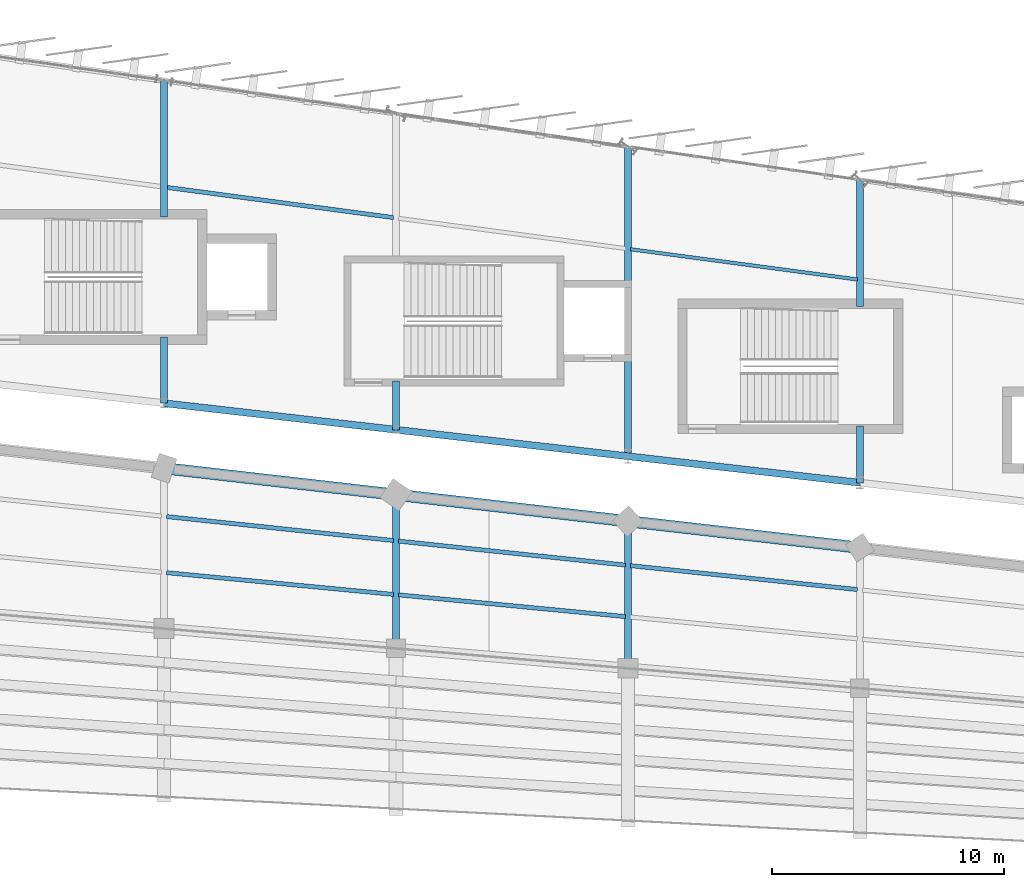
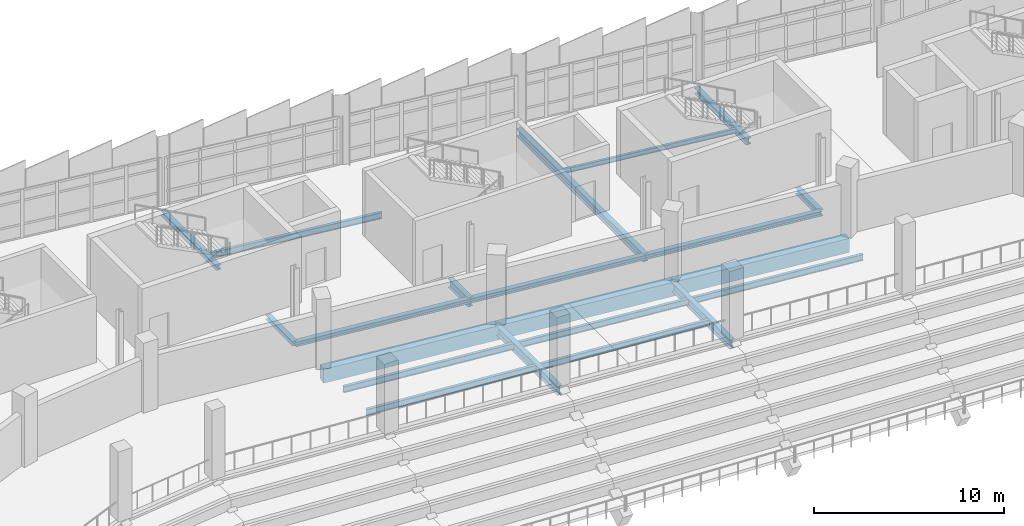
# One storey, part 58 of 134: 21 beams.
"""IFC4 building model written with IfcOpenShell, lengths in metres."""

from ifc_helpers import new_model, si_unit, direction, frame, origin, origin_2d, place, context, subcontext, project, spatial, rectangle, i_section, extrude, material, material_profile, profile_set, type_object, element, save


model = new_model("IFC4")

# Units and contexts
model_context = context("Model", 3, precision=1e-05, world=origin(), true_north=direction((0.0, 1.0)))
body_context = subcontext(model_context, "Body", "Model", "MODEL_VIEW")
ifc_project = project(units=[si_unit("LENGTHUNIT", "METRE"), si_unit("AREAUNIT", "SQUARE_METRE"), si_unit("VOLUMEUNIT", "CUBIC_METRE"), si_unit("PLANEANGLEUNIT", "RADIAN"), si_unit("MASSUNIT", "GRAM", prefix="KILO")], contexts=[model_context])

# Site, building, storey
site_placement = place(None, origin())
site = spatial("IfcSite", under=ifc_project, at=site_placement, CompositionType="ELEMENT")
building_placement = place(site_placement, origin())
building = spatial("IfcBuilding", under=site, at=building_placement, Name="Sohan Crest Arena", CompositionType="ELEMENT")
storey_placement = place(building_placement, frame((0.0, 0.0, 4.5)))
storey = spatial("IfcBuildingStorey", under=building, at=storey_placement, Name="L01", CompositionType="ELEMENT", Elevation=4.5)

# Beams
ifc_material_1 = material(Name="Steel S355", Category="steel")
ifc_material_profile_1 = material_profile(ifc_material_1, i_section(OverallWidth=0.14990234375, OverallDepth=0.300048828125, WebThickness=0.007080078125, FlangeThickness=0.0107421875, at=origin_2d()), Name="IPE 300")
ifc_profile_set_1 = profile_set([ifc_material_profile_1], Name="Steel S355")
beam_type_1 = type_object("IfcBeamType", Name="STR-BM-B01", PredefinedType="JOIST", material=ifc_profile_set_1)
beam_1_placement = place(storey_placement, frame((137.89111328125, 115.991943359375, -0.425048828125), z_axis=(-0.991232437337, 0.132129690721, 0.0), x_axis=(-0.132129690721, -0.991232437337, 0.0)))
element("IfcBeam", 1, at=beam_1_placement, inside=storey, type_object=beam_type_1, Name="Structural beam J-L01-1230", PredefinedType="JOIST", context=body_context, shape_type="SweptSolid", body=[
    extrude(i_section(OverallWidth=0.14990234375, OverallDepth=0.300048828125, WebThickness=0.007080078125, FlangeThickness=0.0107421875, at=origin_2d()), origin(), (0.0, 0.0, 1.0), 9.86865234375),
])
ifc_material_profile_2 = material_profile(ifc_material_1, i_section(OverallWidth=0.179931640625, OverallDepth=0.39990234375, WebThickness=0.008544921875, FlangeThickness=0.013427734375, at=origin_2d()), Name="IPE 400")
ifc_profile_set_2 = profile_set([ifc_material_profile_2], Name="Steel S355")
beam_type_2 = type_object("IfcBeamType", Name="STR-BM-B03", PredefinedType="JOIST", material=ifc_profile_set_2)
beam_2_placement = place(storey_placement, frame((137.89111328125, 102.6240234375, -0.449951171875), z_axis=(-0.994481354784, 0.104913464278, 0.0), x_axis=(-0.104913464278, -0.994481354784, 0.0)))
element("IfcBeam", 2, at=beam_2_placement, inside=storey, type_object=beam_type_2, Name="Structural beam J-L01-0734", PredefinedType="JOIST", context=body_context, shape_type="SweptSolid", body=[
    extrude(i_section(OverallWidth=0.179931640625, OverallDepth=0.39990234375, WebThickness=0.008544921875, FlangeThickness=0.013427734375, at=origin_2d()), origin(), (0.0, 0.0, 1.0), 9.83642578125),
])
beam_3_placement = place(storey_placement, frame((127.89111328125, 101.458984375, -0.449951171875), z_axis=(-0.995443739336, 0.095350730547, 0.0), x_axis=(-0.095350730547, -0.995443739336, 0.0)))
element("IfcBeam", 3, at=beam_3_placement, inside=storey, type_object=beam_type_2, Name="Structural beam J-L01-0755", PredefinedType="JOIST", context=body_context, shape_type="SweptSolid", body=[
    extrude(i_section(OverallWidth=0.179931640625, OverallDepth=0.39990234375, WebThickness=0.008544921875, FlangeThickness=0.013427734375, at=origin_2d()), origin(), (0.0, 0.0, 1.0), 9.826904296875),
])
beam_4_placement = place(storey_placement, frame((127.89111328125, 103.679931640625, -0.449951171875), z_axis=(-0.994458024707, 0.105134376377, 0.0), x_axis=(-0.105134376377, -0.994458024707, 0.0)))
element("IfcBeam", 4, at=beam_4_placement, inside=storey, type_object=beam_type_2, Name="Structural beam J-L01-0756", PredefinedType="JOIST", context=body_context, shape_type="SweptSolid", body=[
    extrude(i_section(OverallWidth=0.179931640625, OverallDepth=0.39990234375, WebThickness=0.008544921875, FlangeThickness=0.013427734375, at=origin_2d()), origin(), (0.0, 0.0, 1.0), 9.836669921875),
])
beam_5_placement = place(storey_placement, frame((117.89111328125, 102.416015625, -0.449951171875), z_axis=(-0.995443739336, 0.095350730547, 0.0), x_axis=(-0.095350730547, -0.995443739336, 0.0)))
element("IfcBeam", 5, at=beam_5_placement, inside=storey, type_object=beam_type_2, Name="Structural beam J-L01-0777", PredefinedType="JOIST", context=body_context, shape_type="SweptSolid", body=[
    extrude(i_section(OverallWidth=0.179931640625, OverallDepth=0.39990234375, WebThickness=0.008544921875, FlangeThickness=0.013427734375, at=origin_2d()), origin(), (0.0, 0.0, 1.0), 9.826904296875),
])
beam_6_placement = place(storey_placement, frame((117.89111328125, 104.738037109375, -0.449951171875), z_axis=(-0.994470991784, 0.105011649352, 0.0), x_axis=(-0.105011649352, -0.994470991784, 0.0)))
element("IfcBeam", 6, at=beam_6_placement, inside=storey, type_object=beam_type_2, Name="Structural beam J-L01-0778", PredefinedType="JOIST", context=body_context, shape_type="SweptSolid", body=[
    extrude(i_section(OverallWidth=0.179931640625, OverallDepth=0.39990234375, WebThickness=0.008544921875, FlangeThickness=0.013427734375, at=origin_2d()), origin(), (0.0, 0.0, 1.0), 9.836669921875),
])
beam_7_placement = place(storey_placement, frame((117.89111328125, 118.659912109375, -0.47509765625), z_axis=(-0.991229196985, 0.132153997462, 0.0), x_axis=(-0.132153997462, -0.991229196985, 0.0)))
element("IfcBeam", 7, at=beam_7_placement, inside=storey, type_object=beam_type_2, Name="Structural beam J-L01-1239", PredefinedType="JOIST", context=body_context, shape_type="SweptSolid", body=[
    extrude(i_section(OverallWidth=0.179931640625, OverallDepth=0.39990234375, WebThickness=0.008544921875, FlangeThickness=0.013427734375, at=origin_2d()), origin(), (0.0, 0.0, 1.0), 9.868896484375),
])
ifc_material_profile_3 = material_profile(ifc_material_1, i_section(OverallWidth=0.300048828125, OverallDepth=0.590087890625, WebThickness=0.012939453125, FlangeThickness=0.02490234375, at=origin_2d()), Name="HEA 600")
ifc_profile_set_3 = profile_set([ifc_material_profile_3], Name="Steel S355")
beam_type_3 = type_object("IfcBeamType", Name="STR-BM-B11", PredefinedType="BEAM", material=ifc_profile_set_3)
beam_8_placement = place(storey_placement, frame((128.0, 99.22900390625, -0.544921875), z_axis=(0.0, 1.0, 0.0), x_axis=(-1.0, 0.0, 0.0)))
element("IfcBeam", 8, at=beam_8_placement, inside=storey, type_object=beam_type_3, Name="Structural beam G-L01-0754", PredefinedType="BEAM", context=body_context, shape_type="SweptSolid", body=[
    extrude(i_section(OverallWidth=0.300048828125, OverallDepth=0.590087890625, WebThickness=0.012939453125, FlangeThickness=0.02490234375, at=origin_2d()), origin(), (0.0, 0.0, 1.0), 6.342041015625),
])
beam_9_placement = place(storey_placement, frame((118.0, 100.0859375, -0.544921875), z_axis=(0.0, 1.0, 0.0), x_axis=(-1.0, 0.0, 0.0)))
element("IfcBeam", 9, at=beam_9_placement, inside=storey, type_object=beam_type_3, Name="Structural beam G-L01-0776", PredefinedType="BEAM", context=body_context, shape_type="SweptSolid", body=[
    extrude(i_section(OverallWidth=0.300048828125, OverallDepth=0.590087890625, WebThickness=0.012939453125, FlangeThickness=0.02490234375, at=origin_2d()), origin(), (0.0, 0.0, 1.0), 6.628173828125),
])
beam_10_placement = place(storey_placement, frame((118.0, 109.513916015625, -0.570068359375), z_axis=(0.0, 1.0, 0.0), x_axis=(-1.0, 0.0, 0.0)))
element("IfcBeam", 10, at=beam_10_placement, inside=storey, type_object=beam_type_3, Name="Structural beam G-L01-1235", PredefinedType="BEAM", context=body_context, shape_type="SweptSolid", body=[
    extrude(i_section(OverallWidth=0.300048828125, OverallDepth=0.590087890625, WebThickness=0.012939453125, FlangeThickness=0.02490234375, at=origin_2d()), origin(), (0.0, 0.0, 1.0), 2.106201171875),
])
ifc_material_profile_4 = material_profile(ifc_material_1, i_section(OverallWidth=0.300048828125, OverallDepth=0.300048828125, WebThickness=0.010986328125, FlangeThickness=0.01904296875, at=origin_2d()), Name="HEB 300")
ifc_profile_set_4 = profile_set([ifc_material_profile_4], Name="Steel S355")
beam_type_4 = type_object("IfcBeamType", Name="STR-BM-B12", PredefinedType="BEAM", material=ifc_profile_set_4)
beam_11_placement = place(storey_placement, frame((138.0, 107.22900390625, -0.425048828125), z_axis=(-0.993541269973, 0.113471339378, 0.0), x_axis=(-0.113471339378, -0.993541269973, 0.0)))
element("IfcBeam", 11, at=beam_11_placement, inside=storey, type_object=beam_type_4, Name="Structural beam G-L01-1228", PredefinedType="BEAM", context=body_context, shape_type="SweptSolid", body=[
    extrude(i_section(OverallWidth=0.300048828125, OverallDepth=0.300048828125, WebThickness=0.010986328125, FlangeThickness=0.01904296875, at=origin_2d()), origin(), (0.0, 0.0, 1.0), 10.06494140625),
])
for number, where, z_axis, x_axis, name in (
    (12, (128.0, 108.37109375, -0.425048828125), (-0.993533063564, 0.113543170668, 0.0), (-0.113543170668, -0.993533063564, 0.0), "Structural beam G-L01-1232"),
    (13, (118.0, 109.513916015625, -0.425048828125), (-0.99353032697, 0.113567114035, 0.0), (-0.113567114035, -0.99353032697, 0.0), "Structural beam G-L01-1237"),
):
    element("IfcBeam", number, at=place(storey_placement, frame(where, z_axis=z_axis, x_axis=x_axis)), inside=storey, type_object=beam_type_4, Name=name, PredefinedType="BEAM", context=body_context, shape_type="SweptSolid", body=[
        extrude(i_section(OverallWidth=0.300048828125, OverallDepth=0.300048828125, WebThickness=0.010986328125, FlangeThickness=0.01904296875, at=origin_2d()), origin(), (0.0, 0.0, 1.0), 10.065185546875),
    ])
beam_12_placement = place(storey_placement, frame((108.0, 110.656982421875, -0.425048828125), z_axis=(0.0, 1.0, 0.0), x_axis=(-1.0, 0.0, 0.0)))
element("IfcBeam", 14, at=beam_12_placement, inside=storey, type_object=beam_type_4, Name="Structural beam G-L01-1240", PredefinedType="BEAM", context=body_context, shape_type="SweptSolid", body=[
    extrude(i_section(OverallWidth=0.300048828125, OverallDepth=0.300048828125, WebThickness=0.010986328125, FlangeThickness=0.01904296875, at=origin_2d()), origin(), (0.0, 0.0, 1.0), 2.863037109375),
])
beam_13_placement = place(storey_placement, frame((108.0, 118.679931640625, -0.425048828125), z_axis=(0.0, 1.0, 0.0), x_axis=(-1.0, 0.0, 0.0)))
element("IfcBeam", 15, at=beam_13_placement, inside=storey, type_object=beam_type_4, Name="Structural beam G-L01-1241", PredefinedType="BEAM", context=body_context, shape_type="SweptSolid", body=[
    extrude(i_section(OverallWidth=0.300048828125, OverallDepth=0.300048828125, WebThickness=0.010986328125, FlangeThickness=0.01904296875, at=origin_2d()), origin(), (0.0, 0.0, 1.0), 5.89111328125),
])
ifc_material_profile_5 = material_profile(ifc_material_1, i_section(OverallWidth=0.300048828125, OverallDepth=0.39990234375, WebThickness=0.013427734375, FlangeThickness=0.02392578125, at=origin_2d()), Name="HEB 400")
ifc_profile_set_5 = profile_set([ifc_material_profile_5], Name="Steel S355")
beam_type_5 = type_object("IfcBeamType", Name="STR-BM-B13", PredefinedType="BEAM", material=ifc_profile_set_5)
beam_14_placement = place(storey_placement, frame((138.0, 107.22900390625, -0.47509765625), z_axis=(0.0, 1.0, 0.0), x_axis=(-1.0, 0.0, 0.0)))
element("IfcBeam", 16, at=beam_14_placement, inside=storey, type_object=beam_type_5, Name="Structural beam G-L01-1226", PredefinedType="BEAM", context=body_context, shape_type="SweptSolid", body=[
    extrude(i_section(OverallWidth=0.300048828125, OverallDepth=0.39990234375, WebThickness=0.013427734375, FlangeThickness=0.02392578125, at=origin_2d()), origin(), (0.0, 0.0, 1.0), 2.44091796875),
])
beam_15_placement = place(storey_placement, frame((138.0, 114.830078125, -0.47509765625), z_axis=(0.0, 1.0, 0.0), x_axis=(-1.0, 0.0, 0.0)))
element("IfcBeam", 17, at=beam_15_placement, inside=storey, type_object=beam_type_5, Name="Structural beam G-L01-1227", PredefinedType="BEAM", context=body_context, shape_type="SweptSolid", body=[
    extrude(i_section(OverallWidth=0.300048828125, OverallDepth=0.39990234375, WebThickness=0.013427734375, FlangeThickness=0.02392578125, at=origin_2d()), origin(), (0.0, 0.0, 1.0), 5.455810546875),
])
ifc_material_profile_6 = material_profile(ifc_material_1, i_section(OverallWidth=0.300048828125, OverallDepth=0.5, WebThickness=0.014404296875, FlangeThickness=0.028076171875, at=origin_2d()), Name="HEB 500")
ifc_profile_set_6 = profile_set([ifc_material_profile_6], Name="Steel S355")
beam_type_6 = type_object("IfcBeamType", Name="STR-BM-B14", PredefinedType="BEAM", material=ifc_profile_set_6)
beam_16_placement = place(storey_placement, frame((128.0, 108.37109375, -0.52490234375), z_axis=(0.0, 1.0, 0.0), x_axis=(-1.0, 0.0, 0.0)))
element("IfcBeam", 18, at=beam_16_placement, inside=storey, type_object=beam_type_6, Name="Structural beam G-L01-1231", PredefinedType="BEAM", context=body_context, shape_type="SweptSolid", body=[
    extrude(i_section(OverallWidth=0.300048828125, OverallDepth=0.5, WebThickness=0.014404296875, FlangeThickness=0.028076171875, at=origin_2d()), origin(), (0.0, 0.0, 1.0), 13.343017578125),
])
ifc_material_2 = material(Name="Concrete C40/50", Category="concrete")
ifc_material_profile_7 = material_profile(ifc_material_2, rectangle(XDim=0.5, YDim=0.89990234375, at=origin_2d()), Name="RC-BM 500x900")
ifc_profile_set_7 = profile_set([ifc_material_profile_7], Name="Concrete C40/50")
beam_type_7 = type_object("IfcBeamType", Name="STR-BM-TB03", PredefinedType="BEAM", material=ifc_profile_set_7)
beam_17_placement = place(storey_placement, frame((138.0, 104.428955078125, -0.699951171875), z_axis=(-0.993541269973, 0.113471339378, 0.0), x_axis=(-0.113471339378, -0.993541269973, 0.0)))
element("IfcBeam", 19, at=beam_17_placement, inside=storey, type_object=beam_type_7, Name="Structural beam TB-L01-0731", PredefinedType="BEAM", context=body_context, shape_type="SweptSolid", body=[
    extrude(rectangle(XDim=0.5, YDim=0.89990234375, at=origin_2d()), origin(), (0.0, 0.0, 1.0), 10.06494140625),
])
for number, where, z_axis, x_axis, name in (
    (20, (128.0, 105.571044921875, -0.699951171875), (-0.99353032697, 0.113567114035, 0.0), (-0.113567114035, -0.99353032697, 0.0), "Structural beam TB-L01-0753"),
    (21, (118.0, 106.714111328125, -0.699951171875), (-0.993533063564, 0.113543170668, 0.0), (-0.113543170668, -0.993533063564, 0.0), "Structural beam TB-L01-0775"),
):
    element("IfcBeam", number, at=place(storey_placement, frame(where, z_axis=z_axis, x_axis=x_axis)), inside=storey, type_object=beam_type_7, Name=name, PredefinedType="BEAM", context=body_context, shape_type="SweptSolid", body=[
        extrude(rectangle(XDim=0.5, YDim=0.89990234375, at=origin_2d()), origin(), (0.0, 0.0, 1.0), 10.065185546875),
    ])

save(model, "model.ifc")
